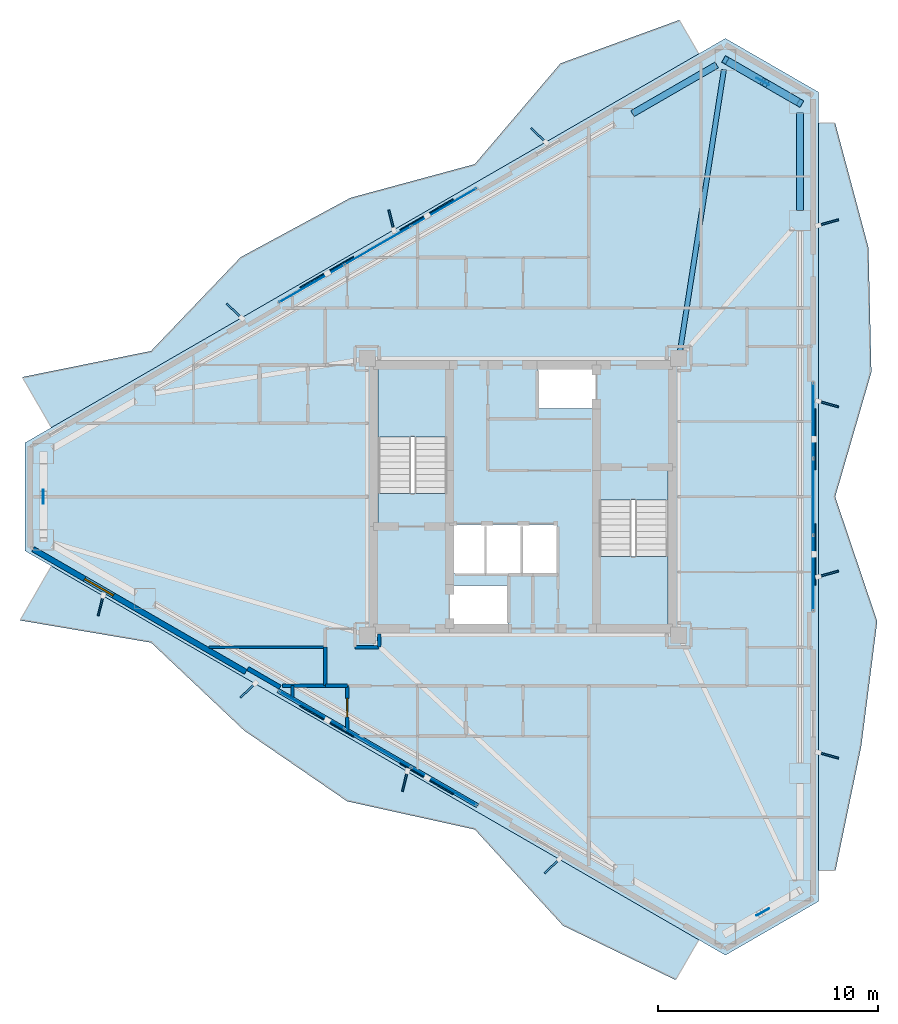
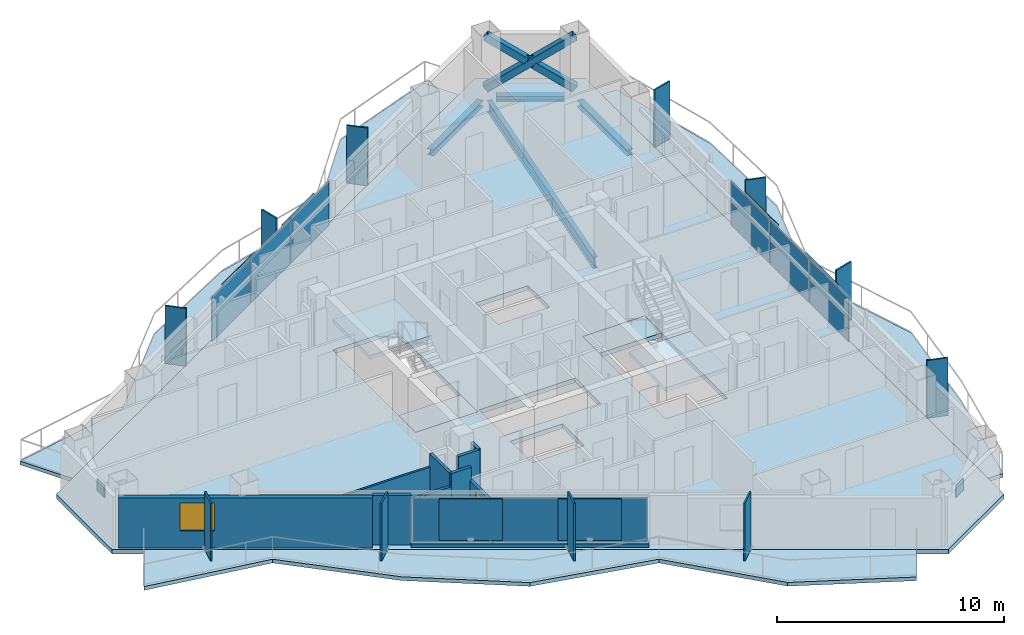
# One storey, part 11 of 18: 29 plates, 11 walls, 8 slabs, 4 beams, 3 members, 1 door, 1 window, 2 openings, 5 elements without a shape of their own.
"""IFC4 building model written with IfcOpenShell, lengths in metres."""

from ifc_helpers import new_model, si_unit, direction, frame, frame_2d, origin, origin_2d, place, context, subcontext, project, spatial, polyline, rectangle, hollow_rectangle, i_section, outline, extrude, material, layer, layer_set, material_profile, profile_set, type_object, element, fill, aggregate, save


model = new_model("IFC4")

# Units and contexts
model_context = context("Model", 3, precision=1e-05, world=origin(), true_north=direction((0.0, 1.0)))
body_context = subcontext(model_context, "Body", "Model", "MODEL_VIEW")
ifc_project = project(units=[si_unit("LENGTHUNIT", "METRE"), si_unit("AREAUNIT", "SQUARE_METRE"), si_unit("VOLUMEUNIT", "CUBIC_METRE"), si_unit("PLANEANGLEUNIT", "RADIAN"), si_unit("MASSUNIT", "GRAM", prefix="KILO")], contexts=[model_context])

# Site, building, storey
site_placement = place(None, origin())
site = spatial("IfcSite", under=ifc_project, at=site_placement, CompositionType="ELEMENT")
building_placement = place(site_placement, origin())
building = spatial("IfcBuilding", under=site, at=building_placement, Name="Mersakhor Tower and Convention Hall", CompositionType="ELEMENT")
storey_placement = place(building_placement, frame((0.0, 0.0, 154.199951171875)))
storey = spatial("IfcBuildingStorey", under=building, at=storey_placement, Name="L43", CompositionType="ELEMENT", Elevation=154.199951171875)

# Beams
ifc_material_1 = material(Name="Steel S355", Category="steel")
ifc_material_profile_1 = material_profile(ifc_material_1, i_section(OverallWidth=0.22900390625, OverallDepth=0.6123046875, WebThickness=0.011962890625, FlangeThickness=0.01953125, at=origin_2d()), Name="UB 610x229x125")
ifc_profile_set_1 = profile_set([ifc_material_profile_1], Name="Steel S355")
beam_type_1 = type_object("IfcBeamType", Name="BM-PR-610", PredefinedType="BEAM", material=ifc_profile_set_1)
beam_1_placement = place(storey_placement, frame((36.15478515625, 33.40087890625, -0.546142578125), z_axis=(0.154111159783, 0.988053515975, 0.0), x_axis=(-0.988053515975, 0.154111159783, 0.0)))
element("IfcBeam", 1, at=beam_1_placement, inside=storey, type_object=beam_type_1, Name="L43 Primary Floor Girder FG-2", PredefinedType="BEAM", context=body_context, shape_type="SweptSolid", body=[
    extrude(i_section(OverallWidth=0.22900390625, OverallDepth=0.6123046875, WebThickness=0.011962890625, FlangeThickness=0.01953125, at=origin_2d()), origin(), (0.0, 0.0, 1.0), 12.94921875),
])
ifc_material_2 = material(Name="Steel S355", Category="steel")
ifc_material_profile_2 = material_profile(ifc_material_2, i_section(OverallWidth=0.30908203125, OverallDepth=0.320556640625, WebThickness=0.013916015625, FlangeThickness=0.021728515625, at=origin_2d()), Name="UC 305x305x137")
ifc_profile_set_2 = profile_set([ifc_material_profile_2], Name="Steel S355")
beam_type_2 = type_object("IfcBeamType", Name="BM-SPD-UC305", PredefinedType="SPANDREL", material=ifc_profile_set_2)
beam_2_placement = place(storey_placement, frame((33.986572265625, 44.200439453125, -0.400146484375), z_axis=(0.866038875684, 0.49997666526, 0.0), x_axis=(-0.49997666526, 0.866038875684, 0.0)))
element("IfcBeam", 2, at=beam_2_placement, inside=storey, type_object=beam_type_2, Name="L43 Perimeter Spandrel Beam SPB-03", PredefinedType="SPANDREL", context=body_context, shape_type="SweptSolid", body=[
    extrude(i_section(OverallWidth=0.30908203125, OverallDepth=0.320556640625, WebThickness=0.013916015625, FlangeThickness=0.021728515625, at=origin_2d()), origin(), (0.0, 0.0, 1.0), 4.433837890625),
])
beam_3_placement = place(storey_placement, frame((38.614501953125, 46.417236328125, -0.400146484375), z_axis=(0.86604667077, -0.499963162692, 0.0), x_axis=(0.499963162692, 0.86604667077, 0.0)))
element("IfcBeam", 3, at=beam_3_placement, inside=storey, type_object=beam_type_2, Name="L43 Perimeter Spandrel Beam SPB-04", PredefinedType="SPANDREL", context=body_context, shape_type="SweptSolid", body=[
    extrude(i_section(OverallWidth=0.30908203125, OverallDepth=0.320556640625, WebThickness=0.013916015625, FlangeThickness=0.021728515625, at=origin_2d()), origin(), (0.0, 0.0, 1.0), 3.014404296875),
])
beam_4_placement = place(storey_placement, frame((41.619140625, 44.2275390625, -0.400146484375), z_axis=(0.0, -1.0, 0.0), x_axis=(1.0, 0.0, 0.0)))
element("IfcBeam", 4, at=beam_4_placement, inside=storey, type_object=beam_type_2, Name="L43 Perimeter Spandrel Beam SPB-05", PredefinedType="SPANDREL", context=body_context, shape_type="SweptSolid", body=[
    extrude(i_section(OverallWidth=0.30908203125, OverallDepth=0.320556640625, WebThickness=0.013916015625, FlangeThickness=0.021728515625, at=origin_2d()), origin(), (0.0, 0.0, 1.0), 4.433837890625),
])

# Members
ifc_material_3 = material(Name="Steel S460", Category="steel")
ifc_material_profile_3 = material_profile(ifc_material_3, hollow_rectangle(XDim=0.35009765625, YDim=0.35009765625, WallThickness=0.02001953125, at=origin_2d()), Name="SHS 350x350x20")
ifc_profile_set_3 = profile_set([ifc_material_profile_3], Name="Steel S460")
member_type = type_object("IfcMemberType", Name="MB-BRC-SHS350", PredefinedType="BRACE", material=ifc_profile_set_3)
member_placement = place(storey_placement, frame((38.220458984375, 46.644775390625, 0.150146484375), z_axis=(0.70838533923, -0.408971551713, 0.575267312693), x_axis=(0.499986324622, 0.866033299124, 0.0)))
element("IfcMember", 5, at=member_placement, inside=storey, type_object=member_type, Name="L43 Chamfer Braced Frame Diagonal CB-1A", PredefinedType="BRACE", context=body_context, shape_type="SweptSolid", body=[
    extrude(hollow_rectangle(XDim=0.35009765625, YDim=0.35009765625, WallThickness=0.02001953125, at=origin_2d()), origin(), (0.0, 0.0, 1.0), 4.7978515625),
])
for number, where, z_axis, x_axis, name in (
    (6, (41.619140625, 44.6826171875, 0.150146484375), (-0.708409139881, 0.409012716899, 0.575208734242), (-0.500011469263, -0.866018781901, 0.0), "L43 Chamfer Braced Frame Diagonal CB-1B Lower Half"),
    (7, (39.782470703125, 45.742919921875, 1.6416015625), (-0.708364021879, 0.408986667212, 0.575282816143), (-0.500011469263, -0.866018781901, 0.0), "L43 Chamfer Braced Frame Diagonal CB-1B Upper Half"),
):
    element("IfcMember", number, at=place(storey_placement, frame(where, z_axis=z_axis, x_axis=x_axis)), inside=storey, type_object=member_type, Name=name, PredefinedType="BRACE", context=body_context, shape_type="SweptSolid", body=[
        extrude(hollow_rectangle(XDim=0.35009765625, YDim=0.35009765625, WallThickness=0.02001953125, at=origin_2d()), origin(), (0.0, 0.0, 1.0), 2.205078125),
    ])

# Curtain wall, plates
ifc_material_4 = material(Name="Dark solar low-E aluminium curtain wall", Category="aluminium")
ifc_layer_1 = layer(ifc_material_4, 0.169921875)
ifc_layer_set_1 = layer_set([ifc_layer_1], Name="Dark solar low-E aluminium curtain wall")
curtain_wall_type = type_object("IfcCurtainWallType", Name="CW-SYS-02", PredefinedType="USERDEFINED", material=ifc_layer_set_1)
curtain_wall_1_placement = place(storey_placement, origin())
curtain_wall_1 = element("IfcCurtainWall", 8, at=curtain_wall_1_placement, inside=storey, type_object=curtain_wall_type, Name="L43 Dark-Glass Curtain Wall F1-B2", ObjectType="CURTAIN WALL", PredefinedType="USERDEFINED")
ifc_material_5 = material(Name="Dark solar double glazing", Category="glass")
ifc_layer_2 = layer(ifc_material_5, 0.028076171875)
ifc_layer_set_2 = layer_set([ifc_layer_2], Name="Dark solar double glazing")
plate_type_1 = type_object("IfcPlateType", Name="CWP-GLZ-28", PredefinedType="CURTAIN_PANEL", material=ifc_layer_set_2)
plate_1_placement = place(storey_placement, frame((19.379638671875, 36.4599609375, 0.259765625), z_axis=(0.0, 0.0, 1.0), x_axis=(0.866030906807, 0.499990468363, 0.0)))
plate_1 = element("IfcPlate", 9, at=plate_1_placement, type_object=plate_type_1, Name="CW-02 panel 1.1", PredefinedType="CURTAIN_PANEL", context=body_context, shape_type="SweptSolid", body=[
    extrude(rectangle(XDim=3.3828125, YDim=0.028076171875, at=origin_2d()), origin(), (0.0, 0.0, 1.0), 2.360107421875),
])
plate_2_placement = place(storey_placement, frame((22.390380859375, 38.1982421875, 0.259765625), z_axis=(0.0, 0.0, 1.0), x_axis=(0.866030906807, 0.499990468363, 0.0)))
plate_2 = element("IfcPlate", 10, at=plate_2_placement, type_object=plate_type_1, Name="CW-02 panel 2.1", PredefinedType="CURTAIN_PANEL", context=body_context, shape_type="SweptSolid", body=[
    extrude(rectangle(XDim=3.42041015625, YDim=0.028076171875, at=origin_2d()), origin(), (0.0, 0.0, 1.0), 2.360107421875),
])
plate_3_placement = place(storey_placement, frame((25.401123046875, 39.9365234375, 0.259765625), z_axis=(0.0, 0.0, 1.0), x_axis=(0.866030906807, 0.499990468363, 0.0)))
plate_3 = element("IfcPlate", 11, at=plate_3_placement, type_object=plate_type_1, Name="CW-02 panel 3.1", PredefinedType="CURTAIN_PANEL", context=body_context, shape_type="SweptSolid", body=[
    extrude(rectangle(XDim=3.3828125, YDim=0.028076171875, at=origin_2d()), origin(), (0.0, 0.0, 1.0), 2.360107421875),
])
aggregate(curtain_wall_1, [plate_1, plate_2, plate_3])

curtain_wall_2_placement = place(storey_placement, origin())
curtain_wall_2 = element("IfcCurtainWall", 12, at=curtain_wall_2_placement, inside=storey, type_object=curtain_wall_type, Name="L43 Dark-Glass Curtain Wall F2-B2", ObjectType="CURTAIN WALL", PredefinedType="USERDEFINED")
plate_4_placement = place(storey_placement, frame((42.21923828125, 30.2265625, 0.259765625), z_axis=(0.0, 0.0, 1.0), x_axis=(0.0, -1.0, 0.0)))
plate_4 = element("IfcPlate", 13, at=plate_4_placement, type_object=plate_type_1, Name="CW-02 panel 1.1", PredefinedType="CURTAIN_PANEL", context=body_context, shape_type="SweptSolid", body=[
    extrude(rectangle(XDim=3.3828125, YDim=0.028076171875, at=origin_2d()), origin(), (0.0, 0.0, 1.0), 2.360107421875),
])
plate_5_placement = place(storey_placement, frame((42.21923828125, 26.75, 0.259765625), z_axis=(0.0, 0.0, 1.0), x_axis=(0.0, -1.0, 0.0)))
plate_5 = element("IfcPlate", 14, at=plate_5_placement, type_object=plate_type_1, Name="CW-02 panel 2.1", PredefinedType="CURTAIN_PANEL", context=body_context, shape_type="SweptSolid", body=[
    extrude(rectangle(XDim=3.42041015625, YDim=0.028076171875, at=origin_2d()), origin(), (0.0, 0.0, 1.0), 2.360107421875),
])
plate_6_placement = place(storey_placement, frame((42.21923828125, 23.2734375, 0.259765625), z_axis=(0.0, 0.0, 1.0), x_axis=(0.0, -1.0, 0.0)))
plate_6 = element("IfcPlate", 15, at=plate_6_placement, type_object=plate_type_1, Name="CW-02 panel 3.1", PredefinedType="CURTAIN_PANEL", context=body_context, shape_type="SweptSolid", body=[
    extrude(rectangle(XDim=3.3828125, YDim=0.028076171875, at=origin_2d()), origin(), (0.0, 0.0, 1.0), 2.360107421875),
])
aggregate(curtain_wall_2, [plate_4, plate_5, plate_6])

curtain_wall_3_placement = place(storey_placement, origin())
curtain_wall_3 = element("IfcCurtainWall", 16, at=curtain_wall_3_placement, inside=storey, type_object=curtain_wall_type, Name="L43 Dark-Glass Curtain Wall F3-B2", ObjectType="CURTAIN WALL", PredefinedType="USERDEFINED")
plate_7_placement = place(storey_placement, frame((25.401123046875, 13.5634765625, 0.259765625), z_axis=(0.0, 0.0, 1.0), x_axis=(-0.866030906807, 0.499990468363, 0.0)))
plate_7 = element("IfcPlate", 17, at=plate_7_placement, type_object=plate_type_1, Name="CW-02 panel 1.1", PredefinedType="CURTAIN_PANEL", context=body_context, shape_type="SweptSolid", body=[
    extrude(rectangle(XDim=3.3828125, YDim=0.028076171875, at=origin_2d()), origin(), (0.0, 0.0, 1.0), 2.360107421875),
])
plate_8_placement = place(storey_placement, frame((22.390380859375, 15.3017578125, 0.259765625), z_axis=(0.0, 0.0, 1.0), x_axis=(-0.866030906807, 0.499990468363, 0.0)))
plate_8 = element("IfcPlate", 18, at=plate_8_placement, type_object=plate_type_1, Name="CW-02 panel 2.1", PredefinedType="CURTAIN_PANEL", context=body_context, shape_type="SweptSolid", body=[
    extrude(rectangle(XDim=3.42041015625, YDim=0.028076171875, at=origin_2d()), origin(), (0.0, 0.0, 1.0), 2.360107421875),
])
plate_9_placement = place(storey_placement, frame((19.379638671875, 17.0400390625, 0.259765625), z_axis=(0.0, 0.0, 1.0), x_axis=(-0.866030906807, 0.499990468363, 0.0)))
plate_9 = element("IfcPlate", 19, at=plate_9_placement, type_object=plate_type_1, Name="CW-02 panel 3.1", PredefinedType="CURTAIN_PANEL", context=body_context, shape_type="SweptSolid", body=[
    extrude(rectangle(XDim=3.3828125, YDim=0.028076171875, at=origin_2d()), origin(), (0.0, 0.0, 1.0), 2.360107421875),
])
aggregate(curtain_wall_3, [plate_7, plate_8, plate_9])

# Plates
ifc_material_6 = material(Name="Ceramic-clad aluminium Zone 3 ochre-bronze", Category="aluminium")
ifc_material_7 = material(Name="Ceramic-clad aluminium Zone 1 cobalt-slate", Category="masonry")
ifc_layer_3 = layer(ifc_material_7, 0.080078125)
ifc_layer_set_3 = layer_set([ifc_layer_3], Name="Ceramic-clad aluminium Zone 1 cobalt-slate")
plate_type_2 = type_object("IfcPlateType", Name="PL-FIN-80", PredefinedType="USERDEFINED", material=ifc_layer_set_3)
for number, where, z_axis, x_axis, name in (
    (20, (15.851318359375, 35.215576171875, 0.0), (0.0, 0.0, 1.0), (-0.719339800339, 0.694658370459, 0.0), "L43 Zone 3 Coloured Brise-Soleil Fin F1-1"),
    (21, (23.00634765625, 39.346435546875, 0.0), (0.0, 0.0, 1.0), (-0.2419218956, 0.970295726276, 0.0), "L43 Zone 3 Coloured Brise-Soleil Fin F1-2"),
    (22, (29.707763671875, 43.215576171875, 0.0), (0.0, 0.0, 1.0), (-0.719339800339, 0.694658370459, 0.0), "L43 Zone 3 Coloured Brise-Soleil Fin F1-3"),
    (23, (42.90576171875, 39.237548828125, 0.0), (0.0, 0.0, 1.0), (0.961261695938, 0.275637355817, 0.0), "L43 Zone 3 Coloured Brise-Soleil Fin F2-1"),
    (24, (42.90576171875, 30.9755859375, 0.0), (0.0, 0.0, 1.0), (0.961261695938, -0.275637355817, 0.0), "L43 Zone 3 Coloured Brise-Soleil Fin F2-2"),
    (25, (42.90576171875, 23.237548828125, 0.0), (0.0, 0.0, 1.0), (0.961261695938, 0.275637355817, 0.0), "L43 Zone 3 Coloured Brise-Soleil Fin F2-3"),
    (26, (42.90576171875, 14.9755859375, 0.0), (0.0, 0.0, 1.0), (0.961261695938, -0.275637355817, 0.0), "L43 Zone 3 Coloured Brise-Soleil Fin F2-4"),
    (27, (30.325439453125, 9.927734375, 0.0), (0.0, 0.0, 1.0), (-0.719339800339, -0.694658370459, 0.0), "L43 Zone 3 Coloured Brise-Soleil Fin F3-1"),
    (28, (23.6240234375, 13.796875, 0.0), (0.0, 0.0, 1.0), (-0.2419218956, -0.970295726276, 0.0), "L43 Zone 3 Coloured Brise-Soleil Fin F3-2"),
    (29, (16.468994140625, 17.927734375, 0.0), (0.0, 0.0, 1.0), (-0.719339800339, -0.694658370459, 0.0), "L43 Zone 3 Coloured Brise-Soleil Fin F3-3"),
    (30, (9.767578125, 21.796875, 0.0), (0.0, 0.0, 1.0), (-0.2419218956, -0.970295726276, 0.0), "L43 Zone 3 Coloured Brise-Soleil Fin F3-4"),
):
    element("IfcPlate", number, at=place(storey_placement, frame(where, z_axis=z_axis, x_axis=x_axis)), inside=storey, type_object=plate_type_2, material=ifc_material_6, Name=name, ObjectType="FIN", PredefinedType="USERDEFINED", context=body_context, shape_type="SweptSolid", body=[
        extrude(rectangle(XDim=0.949951171875, YDim=0.080078125, at=origin_2d()), origin(), (0.0, 0.0, 1.0), 3.10009765625),
    ])
ifc_material_8 = material(Name="Steel S460", Category="steel")
ifc_layer_4 = layer(ifc_material_8, 0.0400390625)
ifc_layer_set_4 = layer_set([ifc_layer_4], Name="Steel S460")
plate_type_3 = type_object("IfcPlateType", Name="PL-GUSSET-40", PredefinedType="SHEET", material=ifc_layer_set_4)
for number, where, z_axis, x_axis, name in (
    (31, (39.919921875, 45.663818359375, 1.2099609375), (0.0, 0.0, 1.0), (-0.866025403784, 0.5, 0.0), "L43 X-Brace Crossing Gusset Node Plate"),
    (32, (39.919921875, 7.836181640625, 1.2099609375), (0.0, 0.0, 1.0), (0.866025403784, 0.5, 0.0), "L43 X-Brace Crossing Gusset Node Plate"),
    (33, (7.160400390625, 26.75, 1.2099609375), (0.0, 0.0, 1.0), (0.0, -1.0, 0.0), "L43 X-Brace Crossing Gusset Node Plate"),
):
    element("IfcPlate", number, at=place(storey_placement, frame(where, z_axis=z_axis, x_axis=x_axis)), inside=storey, type_object=plate_type_3, Name=name, PredefinedType="SHEET", context=body_context, shape_type="SweptSolid", body=[
        extrude(rectangle(XDim=0.639892578125, YDim=0.0400390625, at=origin_2d()), origin(), (0.0, 0.0, 1.0), 0.639892578125),
    ])
ifc_material_9 = material(Name="Perforated ceramic cobogo solar screen", Category="aluminium")
ifc_layer_5 = layer(ifc_material_9, 0.055908203125)
ifc_layer_set_5 = layer_set([ifc_layer_5], Name="Perforated ceramic cobogo solar screen")
plate_type_4 = type_object("IfcPlateType", Name="PL-SCR-56", PredefinedType="USERDEFINED", material=ifc_layer_set_5)
for number, where, z_axis, x_axis, name in (
    (34, (20.071044921875, 36.972412109375, 0.400146484375), (0.0, 0.0, 1.0), (0.866025403784, 0.5, 0.0), "L43 Perforated Ceramic Solar Screen F1-1"),
    (35, (24.61181640625, 39.59375, 0.400146484375), (0.0, 0.0, 1.0), (0.866025403784, 0.5, 0.0), "L43 Perforated Ceramic Solar Screen F1-2"),
    (36, (42.317138671875, 29.37158203125, 0.400146484375), (0.0, 0.0, 1.0), (0.0, -1.0, 0.0), "L43 Perforated Ceramic Solar Screen F2-1"),
    (37, (42.317138671875, 24.12841796875, 0.400146484375), (0.0, 0.0, 1.0), (0.0, -1.0, 0.0), "L43 Perforated Ceramic Solar Screen F2-2"),
    (38, (24.61181640625, 13.90625, 0.400146484375), (0.0, 0.0, 1.0), (-0.866025403784, 0.5, 0.0), "L43 Perforated Ceramic Solar Screen F3-1"),
    (39, (20.071044921875, 16.52783203125, 0.400146484375), (0.0, 0.0, 1.0), (-0.866025403784, 0.5, 0.0), "L43 Perforated Ceramic Solar Screen F3-2"),
):
    element("IfcPlate", number, at=place(storey_placement, frame(where, z_axis=z_axis, x_axis=x_axis)), inside=storey, type_object=plate_type_4, Name=name, ObjectType="SCREEN", PredefinedType="USERDEFINED", context=body_context, shape_type="SweptSolid", body=[
        extrude(rectangle(XDim=2.800048828125, YDim=0.055908203125, at=origin_2d()), origin(), (0.0, 0.0, 1.0), 2.22998046875),
    ])

# Slabs
ifc_material_10 = material(Name="Concrete C45/55", Category="concrete")
ifc_layer_6 = layer(ifc_material_10, 0.199951171875)
ifc_layer_set_6 = layer_set([ifc_layer_6], Name="Concrete C45/55")
slab_type_1 = type_object("IfcSlabType", Name="SL-BAL-200", PredefinedType="FLOOR", material=ifc_layer_set_6)
slab_1_placement = place(storey_placement, frame((0.0, 0.0, -0.199951171875)))
element("IfcSlab", 40, at=slab_1_placement, inside=storey, type_object=slab_type_1, Name="L43 Sinusoidal Balcony Slab Face 1", PredefinedType="FLOOR", context=body_context, shape_type="SweptSolid", body=[
    extrude(outline(polyline([(7.522705078125, 29.903076171875), (37.008056640625, 46.92626953125), (36.119140625, 48.4658203125), (30.708251953125, 46.489013671875), (26.8046875, 41.9013671875), (21.138916015625, 40.365478515625), (16.1455078125, 37.665771484375), (12.06201171875, 33.3896484375), (6.19482421875, 32.202880859375), (7.522705078125, 29.903076171875)])), origin(), (0.0, 0.0, 1.0), 0.199951171875),
])
slab_2_placement = place(storey_placement, frame((0.0, 0.0, -0.199951171875)))
element("IfcSlab", 41, at=slab_2_placement, inside=storey, type_object=slab_type_1, Name="L43 Sinusoidal Balcony Slab Face 2", PredefinedType="FLOOR", context=body_context, shape_type="SweptSolid", body=[
    extrude(outline(polyline([(42.46923828125, 43.773193359375), (42.46923828125, 9.726806640625), (43.232666015625, 9.726806640625), (44.40869140625, 15.401123046875), (45.13525390625, 21.07568359375), (43.21923828125, 26.75), (44.867919921875, 32.42431640625), (44.735595703125, 38.098876953125), (43.21923828125, 43.773193359375), (42.46923828125, 43.773193359375)])), origin(), (0.0, 0.0, 1.0), 0.199951171875),
])
slab_3_placement = place(storey_placement, frame((0.0, 0.0, -0.199951171875)))
element("IfcSlab", 42, at=slab_3_placement, inside=storey, type_object=slab_type_1, Name="L43 Sinusoidal Balcony Slab Face 3", PredefinedType="FLOOR", context=body_context, shape_type="SweptSolid", body=[
    extrude(outline(polyline([(37.008056640625, 6.57373046875), (7.522705078125, 23.596923828125), (6.09326171875, 21.12109375), (12.06201171875, 20.1103515625), (16.3017578125, 16.10498046875), (20.99267578125, 12.881103515625), (26.8046875, 11.5986328125), (30.826904296875, 7.216796875), (35.951416015625, 4.74365234375), (37.008056640625, 6.57373046875)])), origin(), (0.0, 0.0, 1.0), 0.199951171875),
])
ifc_material_11 = material(Name="Concrete C40/50", Category="concrete")
ifc_layer_7 = layer(ifc_material_11, 0.239990234375)
ifc_layer_set_7 = layer_set([ifc_layer_7], Name="Concrete C40/50")
slab_type_2 = type_object("IfcSlabType", Name="SL-FLR-240", PredefinedType="FLOOR", material=ifc_layer_set_7)
slab_4_placement = place(storey_placement, frame((0.0, 0.0, -0.239990234375)))
element("IfcSlab", 43, at=slab_4_placement, inside=storey, type_object=slab_type_2, Name="L43 ST-1 Structural Stair Floor Landing", PredefinedType="LANDING", context=body_context, shape_type="SweptSolid", body=[
    extrude(outline(polyline([(25.550048828125, 25.39990234375), (25.550048828125, 26.89990234375), (22.39990234375, 26.89990234375), (22.39990234375, 25.39990234375), (25.550048828125, 25.39990234375)])), origin(), (0.0, 0.0, 1.0), 0.239990234375),
])
slab_5_placement = place(storey_placement, frame((0.0, 0.0, -0.239990234375)))
element("IfcSlab", 44, at=slab_5_placement, inside=storey, type_object=slab_type_2, Name="L43 ST-2 Structural Stair Floor Landing", PredefinedType="LANDING", context=body_context, shape_type="SweptSolid", body=[
    extrude(outline(polyline([(32.449951171875, 28.10009765625), (32.449951171875, 26.60009765625), (35.60009765625, 26.60009765625), (35.60009765625, 28.10009765625), (32.449951171875, 28.10009765625)])), origin(), (0.0, 0.0, 1.0), 0.239990234375),
])
slab_6_placement = place(storey_placement, frame((0.0, 0.0, -0.239990234375)))
element("IfcSlab", 45, at=slab_6_placement, inside=storey, type_object=slab_type_2, Name="Tower L43 Structural Floor Slab", PredefinedType="FLOOR", context=body_context, shape_type="SweptSolid", body=[
    extrude(outline(polyline([(6.310302734375, 29.202880859375), (38.220458984375, 47.626220703125), (42.46923828125, 45.17333984375), (42.46923828125, 8.32666015625), (38.220458984375, 5.873779296875), (6.310302734375, 24.297119140625), (6.310302734375, 29.202880859375)]), holes=[polyline([(25.550048828125, 25.39990234375), (25.550048828125, 32.699951171875), (22.39990234375, 32.699951171875), (22.39990234375, 25.39990234375), (25.550048828125, 25.39990234375)]), polyline([(32.449951171875, 28.10009765625), (32.449951171875, 20.800048828125), (35.60009765625, 20.800048828125), (35.60009765625, 28.10009765625), (32.449951171875, 28.10009765625)]), polyline([(25.679931640625, 20.820068359375), (25.679931640625, 22.719970703125), (28.320068359375, 22.719970703125), (28.320068359375, 20.820068359375), (25.679931640625, 20.820068359375)]), polyline([(29.679931640625, 30.780029296875), (29.679931640625, 32.679931640625), (32.320068359375, 32.679931640625), (32.320068359375, 30.780029296875), (29.679931640625, 30.780029296875)]), polyline([(25.679931640625, 23.25), (25.679931640625, 25.5), (30.570068359375, 25.5), (30.570068359375, 23.25), (25.679931640625, 23.25)])]), origin(), (0.0, 0.0, 1.0), 0.239990234375),
])

# Stair, slab
ifc_material_12 = material(Name="Concrete C45/55", Category="concrete")
stair_type = type_object("IfcStairType", Name="ST-TWR-20R", PredefinedType="HALF_TURN_STAIR", material=ifc_material_12)
stair_1_placement = place(storey_placement, origin())
stair_1 = element("IfcStair", 46, at=stair_1_placement, inside=storey, type_object=stair_type, Name="L43 Tower Protected Exit Stair ST-1", PredefinedType="HALF_TURN_STAIR")
ifc_material_13 = material(Name="Concrete C45/55", Category="concrete")
ifc_layer_8 = layer(ifc_material_13, 0.199951171875)
ifc_layer_set_8 = layer_set([ifc_layer_8], Name="Concrete C45/55")
slab_type_3 = type_object("IfcSlabType", Name="SL-LAND-200", PredefinedType="LANDING", material=ifc_layer_set_8)
slab_7_placement = place(storey_placement, frame((0.0, 0.0, 1.449951171875)))
slab_7 = element("IfcSlab", 47, at=slab_7_placement, type_object=slab_type_3, Name="ST-1 landing 1", PredefinedType="LANDING", context=body_context, shape_type="SweptSolid", body=[
    extrude(outline(polyline([(25.550048828125, 29.465087890625), (25.550048828125, 32.699951171875), (22.39990234375, 32.699951171875), (22.39990234375, 29.465087890625), (25.550048828125, 29.465087890625)])), origin(), (0.0, 0.0, 1.0), 0.2001953125),
])
aggregate(stair_1, [slab_7])

stair_2_placement = place(storey_placement, origin())
stair_2 = element("IfcStair", 48, at=stair_2_placement, inside=storey, type_object=stair_type, Name="L43 Tower Protected Exit Stair ST-2", PredefinedType="HALF_TURN_STAIR")
slab_8_placement = place(storey_placement, frame((0.0, 0.0, 1.449951171875)))
slab_8 = element("IfcSlab", 49, at=slab_8_placement, type_object=slab_type_3, Name="ST-2 landing 1", PredefinedType="LANDING", context=body_context, shape_type="SweptSolid", body=[
    extrude(outline(polyline([(32.449951171875, 24.034912109375), (32.449951171875, 20.800048828125), (35.60009765625, 20.800048828125), (35.60009765625, 24.034912109375), (32.449951171875, 24.034912109375)])), origin(), (0.0, 0.0, 1.0), 0.2001953125),
])
aggregate(stair_2, [slab_8])

# Wall, opening, window
ifc_material_14 = material(Name="Precast concrete C40/50", Category="concrete")
ifc_layer_9 = layer(ifc_material_14, 0.25)
ifc_layer_set_9 = layer_set([ifc_layer_9], Name="Precast concrete C40/50")
wall_type_1 = type_object("IfcWallType", Name="WL-EXT-250", PredefinedType="SOLIDWALL", material=ifc_layer_set_9)
wall_1_placement = place(storey_placement, frame((16.377685546875, 18.773193359375, 0.0), z_axis=(0.0, 0.0, 1.0), x_axis=(-0.866027848477, 0.499995765644, 0.0)))
wall_1 = element("IfcWall", 50, at=wall_1_placement, inside=storey, type_object=wall_type_1, Name="L43 Exterior Facade Wall F3-B3", PredefinedType="SOLIDWALL", context=body_context, shape_type="SweptSolid", body=[
    extrude(rectangle(XDim=11.18603515625, YDim=0.25, at=frame_2d((5.593017578125, 0.0))), origin(), (0.0, 0.0, 1.0), 2.679931640625),
])
opening_1_placement = place(wall_1_placement, frame((6.97412109375, 0.0, 0.89990234375)))
opening_1 = element("IfcOpeningElement", 51, at=opening_1_placement, cuts=wall_1, Name="Opening W-02", PredefinedType="OPENING", context=body_context, shape_type="SweptSolid", body=[
    extrude(rectangle(XDim=1.5, YDim=1.5, at=frame_2d((0.75, 0.75))), frame((0.0, 0.135009765625, 0.0), z_axis=(0.0, -1.0, 0.0), x_axis=(1.0, 0.0, 0.0)), (0.0, 0.0, 1.0), 0.27001953125),
])
ifc_material_15 = material(Name="Dark solar low-E glazed aluminium window", Category="aluminium")
window_type = type_object("IfcWindowType", Name="WN-RES-150x150", PartitioningType="SINGLE_PANEL", PredefinedType="WINDOW", material=ifc_material_15)
window_placement = place(opening_1_placement, origin())
window = element("IfcWindow", 52, at=window_placement, inside=storey, type_object=window_type, Name="L43 Facade Punched Window F3-B3", OverallHeight=1.5, OverallWidth=1.5, PartitioningType="SINGLE_PANEL", PredefinedType="WINDOW", context=body_context, shape_type="SweptSolid", body=[
    extrude(rectangle(XDim=1.5, YDim=1.5, at=frame_2d((0.75, 0.75))), frame((0.0, 0.030029296875, 0.0), z_axis=(0.0, -1.0, 0.0), x_axis=(1.0, 0.0, 0.0)), (0.0, 0.0, 1.0), 0.06005859375),
])
fill(opening_1, window)

# Walls
ifc_material_16 = material(Name="Precast concrete C40/50", Category="concrete")
ifc_layer_10 = layer(ifc_material_16, 0.199951171875)
ifc_layer_set_10 = layer_set([ifc_layer_10], Name="Precast concrete C40/50")
wall_type_2 = type_object("IfcWallType", Name="WL-PAR-200", PredefinedType="PARAPET", material=ifc_layer_set_10)
wall_2_placement = place(storey_placement, frame((26.930908203125, 12.680419921875, 0.0), z_axis=(0.0, 0.0, 1.0), x_axis=(-0.866026619769, 0.499997893847, 0.0)))
element("IfcWall", 53, at=wall_2_placement, inside=storey, type_object=wall_type_2, Name="L43 Curtain Wall Upstand Sill F3-B2", PredefinedType="PARAPET", context=body_context, shape_type="SweptSolid", body=[
    extrude(rectangle(XDim=10.48583984375, YDim=0.199951171875, at=frame_2d((5.242919921875, 0.0))), origin(), (0.0, 0.0, 1.0), 0.199951171875),
])
wall_3_placement = place(storey_placement, frame((17.939697265625, 18.0791015625, 0.0), z_axis=(0.0, 0.0, 1.0), x_axis=(-0.865989465428, 0.500062241894, 0.0)))
element("IfcWall", 54, at=wall_3_placement, inside=storey, type_object=wall_type_2, Name="L43 Column Pier Cladding Wall F3-C2", PredefinedType="PARAPET", context=body_context, shape_type="SweptSolid", body=[
    extrude(rectangle(XDim=1.699951171875, YDim=0.199951171875, at=frame_2d((0.85009765625, 0.0))), origin(), (0.0, 0.0, 1.0), 2.679931640625),
])
ifc_material_17 = material(Name="Lightweight gypsum partition", Category="other")
ifc_layer_11 = layer(ifc_material_17, 0.10009765625)
ifc_layer_set_11 = layer_set([ifc_layer_11], Name="Lightweight gypsum partition")
wall_type_3 = type_object("IfcWallType", Name="WL-PRT-100", PredefinedType="PARTITIONING", material=ifc_layer_set_11)
wall_4_placement = place(storey_placement, frame((20.0, 19.89990234375, 0.0), z_axis=(0.0, 0.0, 1.0), x_axis=(-1.0, 0.0, 0.0)))
element("IfcWall", 55, at=wall_4_placement, inside=storey, type_object=wall_type_3, Name="L43 Interior Partition Wall P-094", PredefinedType="PARTITIONING", context=body_context, shape_type="SweptSolid", body=[
    extrude(rectangle(XDim=5.302978515625, YDim=0.10009765625, at=frame_2d((2.6513671875, 0.0))), origin(), (0.0, 0.0, 1.0), 2.364990234375),
])
ifc_material_18 = material(Name="Fire-rated gypsum board stud partition", Category="other")
ifc_layer_12 = layer(ifc_material_18, 0.14990234375)
ifc_layer_set_12 = layer_set([ifc_layer_12], Name="Fire-rated gypsum board stud partition")
wall_type_4 = type_object("IfcWallType", Name="WL-PRT-150", PredefinedType="PARTITIONING", material=ifc_layer_set_12)
wall_5_placement = place(storey_placement, frame((22.449951171875, 19.89990234375, 0.0), z_axis=(0.0, 0.0, 1.0), x_axis=(0.0, 1.0, 0.0)))
element("IfcWall", 56, at=wall_5_placement, inside=storey, type_object=wall_type_4, Name="L43 Interior Partition Wall P-034", PredefinedType="PARTITIONING", context=body_context, shape_type="SweptSolid", body=[
    extrude(rectangle(XDim=0.60009765625, YDim=0.14990234375, at=frame_2d((0.300048828125, 0.0))), origin(), (0.0, 0.0, 1.0), 2.432861328125),
])
wall_6_placement = place(storey_placement, frame((21.0, 18.14990234375, 0.0), z_axis=(0.0, 0.0, 1.0), x_axis=(-1.0, 0.0, 0.0)))
element("IfcWall", 57, at=wall_6_placement, inside=storey, type_object=wall_type_4, Name="L43 Interior Partition Wall P-046", PredefinedType="PARTITIONING", context=body_context, shape_type="SweptSolid", body=[
    extrude(rectangle(XDim=1.0, YDim=0.14990234375, at=frame_2d((0.5, 0.0))), origin(), (0.0, 0.0, 1.0), 3.06005859375),
])
wall_7_placement = place(storey_placement, frame((20.0, 18.14990234375, 0.0), z_axis=(0.0, 0.0, 1.0), x_axis=(0.0, 1.0, 0.0)))
element("IfcWall", 58, at=wall_7_placement, inside=storey, type_object=wall_type_4, Name="L43 Interior Partition Wall P-047", PredefinedType="PARTITIONING", context=body_context, shape_type="SweptSolid", body=[
    extrude(rectangle(XDim=1.75, YDim=0.14990234375, at=frame_2d((0.875, 0.0))), origin(), (0.0, 0.0, 1.0), 3.06005859375),
])
wall_8_placement = place(storey_placement, frame((21.35009765625, 19.89990234375, 0.0), z_axis=(0.0, 0.0, 1.0), x_axis=(1.0, 0.0, 0.0)))
element("IfcWall", 59, at=wall_8_placement, inside=storey, type_object=wall_type_4, Name="L43 Interior Partition Wall P-051", PredefinedType="PARTITIONING", context=body_context, shape_type="SweptSolid", body=[
    extrude(rectangle(XDim=1.099853515625, YDim=0.14990234375, at=frame_2d((0.5498046875, 0.0))), origin(), (0.0, 0.0, 1.0), 2.432861328125),
])
wall_9_placement = place(storey_placement, frame((18.04248046875, 18.14990234375, 0.0), z_axis=(0.0, 0.0, 1.0), x_axis=(1.0, 0.0, 0.0)))
element("IfcWall", 60, at=wall_9_placement, inside=storey, type_object=wall_type_4, Name="L43 Interior Partition Wall P-112", PredefinedType="PARTITIONING", context=body_context, shape_type="SweptSolid", body=[
    extrude(rectangle(XDim=1.95751953125, YDim=0.14990234375, at=frame_2d((0.978759765625, 0.0))), origin(), (0.0, 0.0, 1.0), 2.364990234375),
])

# Wall, opening, door
wall_10_placement = place(storey_placement, frame((21.0, 18.14990234375, 0.0), z_axis=(0.0, 0.0, 1.0), x_axis=(0.0, -1.0, 0.0)))
wall_10 = element("IfcWall", 61, at=wall_10_placement, inside=storey, type_object=wall_type_4, Name="L43 Interior Partition Wall P-113", PredefinedType="PARTITIONING", context=body_context, shape_type="SweptSolid", body=[
    extrude(rectangle(XDim=2.00146484375, YDim=0.14990234375, at=frame_2d((1.000732421875, 0.0))), origin(), (0.0, 0.0, 1.0), 2.364990234375),
])
opening_2_placement = place(wall_10_placement, frame((0.57568359375, 0.0, 0.0)))
opening_2 = element("IfcOpeningElement", 62, at=opening_2_placement, cuts=wall_10, Name="Opening SVD-01", PredefinedType="OPENING", context=body_context, shape_type="SweptSolid", body=[
    extrude(rectangle(XDim=0.85009765625, YDim=2.10009765625, at=frame_2d((0.425048828125, 1.050048828125))), frame((0.0, 0.0849609375, 0.0), z_axis=(0.0, -1.0, 0.0), x_axis=(1.0, 0.0, 0.0)), (0.0, 0.0, 1.0), 0.169921875),
])
ifc_material_19 = material(Name="Fire-rated hardwood leaf and painted steel frame", Category="steel")
door_type = type_object("IfcDoorType", Name="DR-INT-SVC-085x210", OperationType="NOTDEFINED", PredefinedType="DOOR", material=ifc_material_19)
door_placement = place(opening_2_placement, origin())
door = element("IfcDoor", 63, at=door_placement, inside=storey, type_object=door_type, Name="L43 L43 Floor Household Store Room 3-1 to L43 Floor Shared Tea Pantry 3-2 Door", OperationType="SINGLE_SWING_LEFT", OverallHeight=2.10009765625, OverallWidth=0.85009765625, PredefinedType="DOOR", context=body_context, shape_type="SweptSolid", body=[
    extrude(rectangle(XDim=0.85009765625, YDim=2.10009765625, at=frame_2d((0.425048828125, 1.050048828125))), frame((0.0, 0.02490234375, 0.0), z_axis=(0.0, -1.0, 0.0), x_axis=(1.0, 0.0, 0.0)), (0.0, 0.0, 1.0), 0.050048828125),
])
fill(opening_2, door)

# Wall
wall_11_placement = place(storey_placement, frame((18.5, 17.63671875, 0.0), z_axis=(0.0, 0.0, 1.0), x_axis=(0.0, 1.0, 0.0)))
element("IfcWall", 64, at=wall_11_placement, inside=storey, type_object=wall_type_4, Name="L43 Interior Partition Wall P-114", PredefinedType="PARTITIONING", context=body_context, shape_type="SweptSolid", body=[
    extrude(rectangle(XDim=0.51318359375, YDim=0.14990234375, at=frame_2d((0.256591796875, 0.0))), origin(), (0.0, 0.0, 1.0), 2.364990234375),
])

save(model, "model.ifc")
